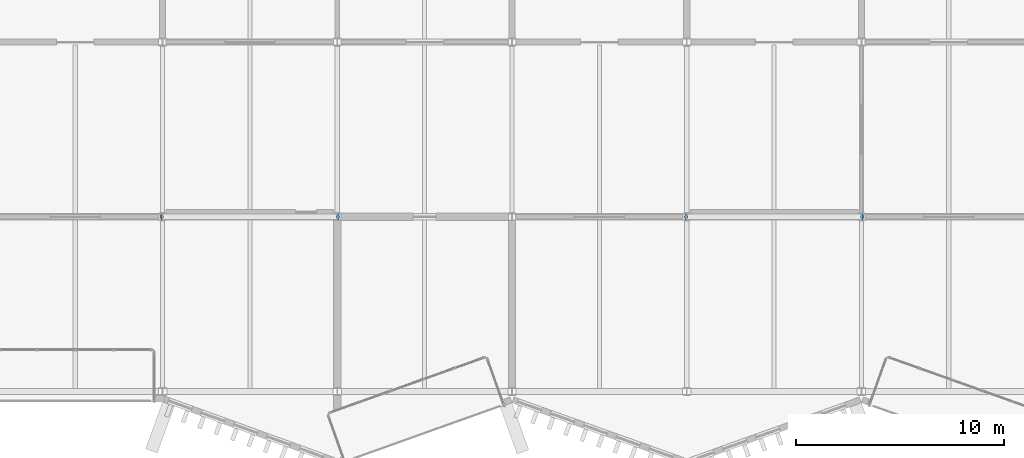
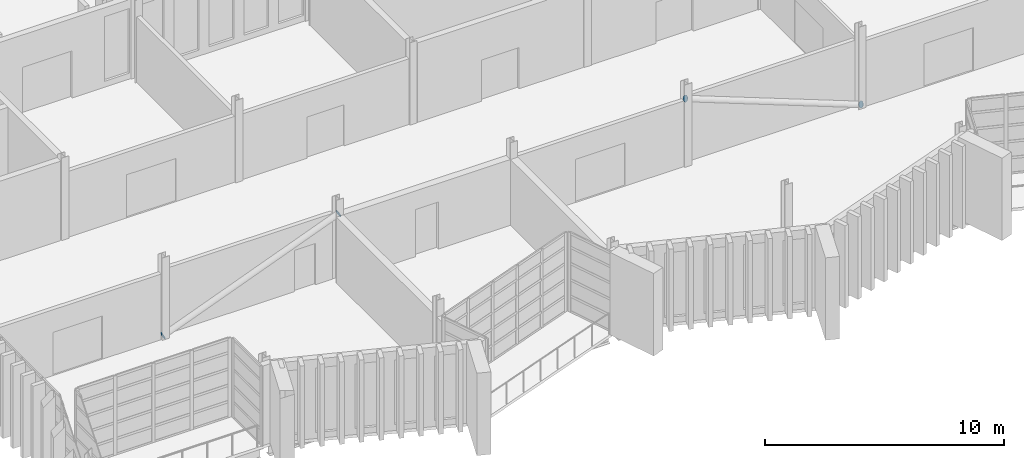
# One storey, part 75 of 96: 4 discrete accessories.
"""IFC4 building model written with IfcOpenShell, lengths in metres."""

from ifc_helpers import new_model, si_unit, direction, frame, origin, origin_2d, place, context, subcontext, project, spatial, circle, extrude, material, layer, layer_set, type_object, element, save


model = new_model("IFC4")

# Units and contexts
model_context = context("Model", 3, precision=1e-05, world=origin(), true_north=direction((0.0, 1.0)))
body_context = subcontext(model_context, "Body", "Model", "MODEL_VIEW")
ifc_project = project(units=[si_unit("LENGTHUNIT", "METRE"), si_unit("AREAUNIT", "SQUARE_METRE"), si_unit("VOLUMEUNIT", "CUBIC_METRE"), si_unit("PLANEANGLEUNIT", "RADIAN"), si_unit("MASSUNIT", "GRAM", prefix="KILO")], contexts=[model_context])

# Site, building, storey
site_placement = place(None, origin())
site = spatial("IfcSite", under=ifc_project, at=site_placement, CompositionType="ELEMENT")
building_placement = place(site_placement, origin())
building = spatial("IfcBuilding", under=site, at=building_placement, Name="Cresset Court Congress Hotel", CompositionType="ELEMENT")
storey_placement = place(building_placement, frame((0.0, 0.0, 6.0)))
storey = spatial("IfcBuildingStorey", under=building, at=storey_placement, Name="L01", CompositionType="ELEMENT", Elevation=6.0)

# Discrete accessories
ifc_material = material(Name="Structural steel Q355B", Category="steel")
ifc_layer = layer(ifc_material, 0.01611328125)
ifc_layer_set = layer_set([ifc_layer], Name="Brace end gusset 273x16")
discrete_accessory_type = type_object("IfcDiscreteAccessoryType", Name="Brace end gusset 273x16", PredefinedType="BRACKET", material=ifc_layer_set)
discrete_accessory_1_placement = place(storey_placement, frame((16.77490234375, 8.39990234375, 0.10009765625), z_axis=(-0.930565951697, 0.0, -0.366124308865), x_axis=(0.0, -1.0, 0.0)))
element("IfcDiscreteAccessory", 1, at=discrete_accessory_1_placement, inside=storey, type_object=discrete_accessory_type, Name="Brace end gusset L01 3-1", PredefinedType="BRACKET", context=body_context, shape_type="SweptSolid", body=[
    extrude(circle(Radius=0.156494140625, at=origin_2d()), origin(), (0.0, 0.0, 1.0), 0.01611328125),
])
for number, where, z_axis, x_axis, name in (
    (2, (25.22509765625, 8.39990234375, 3.360107421875), (0.935697286394, 0.0, 0.35280389487), (0.0, 1.0, 0.0), "Brace end gusset L01 3-2"),
    (3, (41.97509765625, 8.39990234375, 3.360107421875), (-0.935697286394, 0.0, 0.35280389487), (0.0, -1.0, 0.0), "Brace end gusset L01 6-1"),
):
    element("IfcDiscreteAccessory", number, at=place(storey_placement, frame(where, z_axis=z_axis, x_axis=x_axis)), inside=storey, type_object=discrete_accessory_type, Name=name, PredefinedType="BRACKET", context=body_context, shape_type="SweptSolid", body=[
        extrude(circle(Radius=0.156494140625, at=origin_2d()), origin(), (0.0, 0.0, 1.0), 0.015869140625),
    ])
discrete_accessory_2_placement = place(storey_placement, frame((50.425048828125, 8.39990234375, 0.10009765625), z_axis=(0.930565951697, 0.0, -0.366124308865), x_axis=(0.0, 1.0, 0.0)))
element("IfcDiscreteAccessory", 4, at=discrete_accessory_2_placement, inside=storey, type_object=discrete_accessory_type, Name="Brace end gusset L01 6-2", PredefinedType="BRACKET", context=body_context, shape_type="SweptSolid", body=[
    extrude(circle(Radius=0.156494140625, at=origin_2d()), origin(), (0.0, 0.0, 1.0), 0.01611328125),
])

save(model, "model.ifc")
